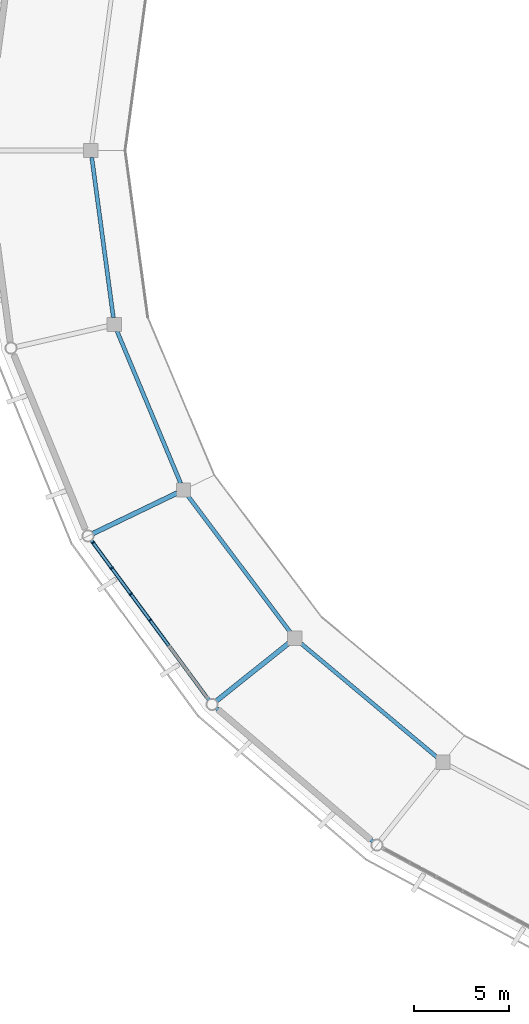
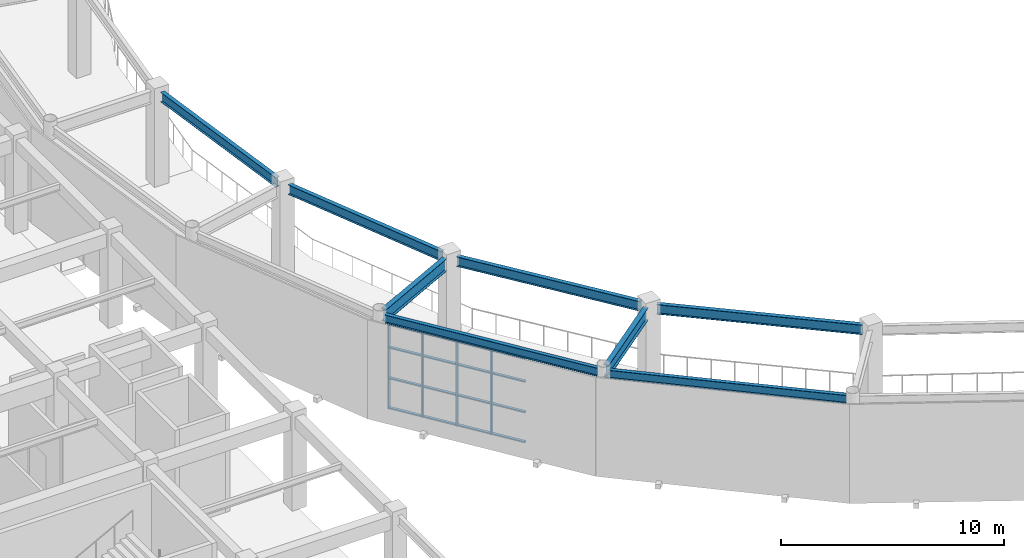
# One storey, part 17 of 70: 20 members, 8 beams, 1 element without a shape of its own.
"""IFC4 building model written with IfcOpenShell, lengths in metres."""

from ifc_helpers import new_model, si_unit, direction, frame, origin, origin_2d, place, context, subcontext, project, spatial, rectangle, i_section, extrude, material, material_profile, profile_set, type_object, element, aggregate, save


model = new_model("IFC4")

# Units and contexts
model_context = context("Model", 3, precision=1e-05, world=origin(), true_north=direction((0.0, 1.0)))
body_context = subcontext(model_context, "Body", "Model", "MODEL_VIEW")
ifc_project = project(units=[si_unit("LENGTHUNIT", "METRE"), si_unit("AREAUNIT", "SQUARE_METRE"), si_unit("VOLUMEUNIT", "CUBIC_METRE"), si_unit("PLANEANGLEUNIT", "RADIAN"), si_unit("MASSUNIT", "GRAM", prefix="KILO")], contexts=[model_context])

# Site, building, storey
site_placement = place(None, origin())
site = spatial("IfcSite", under=ifc_project, at=site_placement, CompositionType="ELEMENT")
building_placement = place(site_placement, origin())
building = spatial("IfcBuilding", under=site, at=building_placement, Name="Cuetzalor Civic Arena", CompositionType="ELEMENT")
storey_placement = place(building_placement, frame((0.0, 0.0, 21.0)))
storey = spatial("IfcBuildingStorey", under=building, at=storey_placement, Name="L04", CompositionType="ELEMENT", Elevation=21.0)

# Curtain wall, members
ifc_material_1 = material(Name="Anodised dark bronze aluminium and low-E solar glass", Category="aluminium")
curtain_wall_type = type_object("IfcCurtainWallType", Name="UnitisedCW_10150x4650", PredefinedType="USERDEFINED", material=ifc_material_1)
curtain_wall_placement = place(storey_placement, origin())
curtain_wall = element("IfcCurtainWall", 1, at=curtain_wall_placement, inside=storey, type_object=curtain_wall_type, Name="Drum Triangle Foyer Curtain Wall L04-063", ObjectType="UNITISED CURTAIN WALL", PredefinedType="USERDEFINED")
ifc_material_2 = material(Name="Anodised dark bronze aluminium", Category="aluminium")
ifc_material_profile_1 = material_profile(ifc_material_2, rectangle(XDim=0.070068359375, YDim=0.179931640625, at=origin_2d()), Name="ALU MULLION 70x180")
ifc_profile_set_1 = profile_set([ifc_material_profile_1], Name="Anodised dark bronze aluminium")
member_type_1 = type_object("IfcMemberType", Name="CurtainWallMullion_65x180", PredefinedType="MULLION", material=ifc_profile_set_1)
member_1_placement = place(storey_placement, frame((-45.8984375, -24.6103515625, 0.0), z_axis=(0.0, 0.0, 1.0), x_axis=(-0.59292931222, 0.805254513002, 0.0)))
member_1 = element("IfcMember", 2, at=member_1_placement, type_object=member_type_1, Name="CW-06 mullion 4", PredefinedType="MULLION", context=body_context, shape_type="SweptSolid", body=[
    extrude(rectangle(XDim=0.070068359375, YDim=0.179931640625, at=origin_2d()), origin(), (0.0, 0.0, 1.0), 4.653076171875),
])
member_2_placement = place(storey_placement, frame((-46.90087890625, -23.2490234375, 0.0), z_axis=(0.0, 0.0, 1.0), x_axis=(-0.59292931222, 0.805254513002, 0.0)))
member_2 = element("IfcMember", 3, at=member_2_placement, type_object=member_type_1, Name="CW-06 mullion 5", PredefinedType="MULLION", context=body_context, shape_type="SweptSolid", body=[
    extrude(rectangle(XDim=0.070068359375, YDim=0.179931640625, at=origin_2d()), origin(), (0.0, 0.0, 1.0), 4.653076171875),
])
member_3_placement = place(storey_placement, frame((-47.9033203125, -21.8876953125, 0.0), z_axis=(0.0, 0.0, 1.0), x_axis=(-0.59292931222, 0.805254513002, 0.0)))
member_3 = element("IfcMember", 4, at=member_3_placement, type_object=member_type_1, Name="CW-06 mullion 6", PredefinedType="MULLION", context=body_context, shape_type="SweptSolid", body=[
    extrude(rectangle(XDim=0.070068359375, YDim=0.179931640625, at=origin_2d()), origin(), (0.0, 0.0, 1.0), 4.653076171875),
])
member_4_placement = place(storey_placement, frame((-48.885009765625, -20.554443359375, 0.0), z_axis=(0.0, 0.0, 1.0), x_axis=(-0.59292931222, 0.805254513002, 0.0)))
member_4 = element("IfcMember", 5, at=member_4_placement, type_object=member_type_1, Name="CW-06 mullion 7", PredefinedType="MULLION", context=body_context, shape_type="SweptSolid", body=[
    extrude(rectangle(XDim=0.070068359375, YDim=0.179931640625, at=origin_2d()), origin(), (0.0, 0.0, 1.0), 4.653076171875),
])
ifc_material_3 = material(Name="Anodised dark bronze aluminium", Category="aluminium")
ifc_material_profile_2 = material_profile(ifc_material_3, rectangle(XDim=0.139892578125, YDim=0.070068359375, at=origin_2d()), Name="ALU TRANSOM 70x140")
ifc_profile_set_2 = profile_set([ifc_material_profile_2], Name="Anodised dark bronze aluminium")
member_type_2 = type_object("IfcMemberType", Name="CurtainWallTransom_65x140", PredefinedType="USERDEFINED", material=ifc_profile_set_2)
member_5_placement = place(storey_placement, frame((-44.916748046875, -25.943603515625, 0.034912109375), z_axis=(-0.592962622822, 0.805229984499, 0.0), x_axis=(-0.805229984499, -0.592962622822, 0.0)))
member_5 = element("IfcMember", 6, at=member_5_placement, type_object=member_type_2, Name="CW-06 transom 3.1", ObjectType="TRANSOM", PredefinedType="USERDEFINED", context=body_context, shape_type="SweptSolid", body=[
    extrude(rectangle(XDim=0.139892578125, YDim=0.070068359375, at=origin_2d()), origin(), (0.0, 0.0, 1.0), 1.62060546875),
])
member_6_placement = place(storey_placement, frame((-44.916748046875, -25.943603515625, 1.675048828125), z_axis=(-0.592962622822, 0.805229984499, 0.0), x_axis=(-0.805229984499, -0.592962622822, 0.0)))
member_6 = element("IfcMember", 7, at=member_6_placement, type_object=member_type_2, Name="CW-06 transom 3.2", ObjectType="TRANSOM", PredefinedType="USERDEFINED", context=body_context, shape_type="SweptSolid", body=[
    extrude(rectangle(XDim=0.139892578125, YDim=0.070068359375, at=origin_2d()), origin(), (0.0, 0.0, 1.0), 1.62060546875),
])
member_7_placement = place(storey_placement, frame((-44.916748046875, -25.943603515625, 3.35009765625), z_axis=(-0.592962622822, 0.805229984499, 0.0), x_axis=(-0.805229984499, -0.592962622822, 0.0)))
member_7 = element("IfcMember", 8, at=member_7_placement, type_object=member_type_2, Name="CW-06 transom 3.3", ObjectType="TRANSOM", PredefinedType="USERDEFINED", context=body_context, shape_type="SweptSolid", body=[
    extrude(rectangle(XDim=0.139892578125, YDim=0.070068359375, at=origin_2d()), origin(), (0.0, 0.0, 1.0), 1.62060546875),
])
member_8_placement = place(storey_placement, frame((-44.916748046875, -25.943603515625, 4.617919921875), z_axis=(-0.592962622822, 0.805229984499, 0.0), x_axis=(-0.805229984499, -0.592962622822, 0.0)))
member_8 = element("IfcMember", 9, at=member_8_placement, type_object=member_type_2, Name="CW-06 transom 3.4", ObjectType="TRANSOM", PredefinedType="USERDEFINED", context=body_context, shape_type="SweptSolid", body=[
    extrude(rectangle(XDim=0.139892578125, YDim=0.070068359375, at=origin_2d()), origin(), (0.0, 0.0, 1.0), 1.62060546875),
])
member_9_placement = place(storey_placement, frame((-45.919189453125, -24.582275390625, 0.034912109375), z_axis=(-0.592890697621, 0.805282944482, 0.0), x_axis=(-0.805282944482, -0.592890697621, 0.0)))
member_9 = element("IfcMember", 10, at=member_9_placement, type_object=member_type_2, Name="CW-06 transom 4.1", ObjectType="TRANSOM", PredefinedType="USERDEFINED", context=body_context, shape_type="SweptSolid", body=[
    extrude(rectangle(XDim=0.139892578125, YDim=0.070068359375, at=origin_2d()), origin(), (0.0, 0.0, 1.0), 1.620849609375),
])
member_10_placement = place(storey_placement, frame((-45.919189453125, -24.582275390625, 1.675048828125), z_axis=(-0.592890697621, 0.805282944482, 0.0), x_axis=(-0.805282944482, -0.592890697621, 0.0)))
member_10 = element("IfcMember", 11, at=member_10_placement, type_object=member_type_2, Name="CW-06 transom 4.2", ObjectType="TRANSOM", PredefinedType="USERDEFINED", context=body_context, shape_type="SweptSolid", body=[
    extrude(rectangle(XDim=0.139892578125, YDim=0.070068359375, at=origin_2d()), origin(), (0.0, 0.0, 1.0), 1.620849609375),
])
member_11_placement = place(storey_placement, frame((-45.919189453125, -24.582275390625, 3.35009765625), z_axis=(-0.592890697621, 0.805282944482, 0.0), x_axis=(-0.805282944482, -0.592890697621, 0.0)))
member_11 = element("IfcMember", 12, at=member_11_placement, type_object=member_type_2, Name="CW-06 transom 4.3", ObjectType="TRANSOM", PredefinedType="USERDEFINED", context=body_context, shape_type="SweptSolid", body=[
    extrude(rectangle(XDim=0.139892578125, YDim=0.070068359375, at=origin_2d()), origin(), (0.0, 0.0, 1.0), 1.620849609375),
])
member_12_placement = place(storey_placement, frame((-45.919189453125, -24.582275390625, 4.617919921875), z_axis=(-0.592890697621, 0.805282944482, 0.0), x_axis=(-0.805282944482, -0.592890697621, 0.0)))
member_12 = element("IfcMember", 13, at=member_12_placement, type_object=member_type_2, Name="CW-06 transom 4.4", ObjectType="TRANSOM", PredefinedType="USERDEFINED", context=body_context, shape_type="SweptSolid", body=[
    extrude(rectangle(XDim=0.139892578125, YDim=0.070068359375, at=origin_2d()), origin(), (0.0, 0.0, 1.0), 1.620849609375),
])
member_13_placement = place(storey_placement, frame((-46.921630859375, -23.220703125, 0.034912109375), z_axis=(-0.592962622822, 0.805229984499, 0.0), x_axis=(-0.805229984499, -0.592962622822, 0.0)))
member_13 = element("IfcMember", 14, at=member_13_placement, type_object=member_type_2, Name="CW-06 transom 5.1", ObjectType="TRANSOM", PredefinedType="USERDEFINED", context=body_context, shape_type="SweptSolid", body=[
    extrude(rectangle(XDim=0.139892578125, YDim=0.070068359375, at=origin_2d()), origin(), (0.0, 0.0, 1.0), 1.62060546875),
])
member_14_placement = place(storey_placement, frame((-46.921630859375, -23.220703125, 1.675048828125), z_axis=(-0.592962622822, 0.805229984499, 0.0), x_axis=(-0.805229984499, -0.592962622822, 0.0)))
member_14 = element("IfcMember", 15, at=member_14_placement, type_object=member_type_2, Name="CW-06 transom 5.2", ObjectType="TRANSOM", PredefinedType="USERDEFINED", context=body_context, shape_type="SweptSolid", body=[
    extrude(rectangle(XDim=0.139892578125, YDim=0.070068359375, at=origin_2d()), origin(), (0.0, 0.0, 1.0), 1.62060546875),
])
member_15_placement = place(storey_placement, frame((-46.921630859375, -23.220703125, 3.35009765625), z_axis=(-0.592962622822, 0.805229984499, 0.0), x_axis=(-0.805229984499, -0.592962622822, 0.0)))
member_15 = element("IfcMember", 16, at=member_15_placement, type_object=member_type_2, Name="CW-06 transom 5.3", ObjectType="TRANSOM", PredefinedType="USERDEFINED", context=body_context, shape_type="SweptSolid", body=[
    extrude(rectangle(XDim=0.139892578125, YDim=0.070068359375, at=origin_2d()), origin(), (0.0, 0.0, 1.0), 1.62060546875),
])
member_16_placement = place(storey_placement, frame((-46.921630859375, -23.220703125, 4.617919921875), z_axis=(-0.592962622822, 0.805229984499, 0.0), x_axis=(-0.805229984499, -0.592962622822, 0.0)))
member_16 = element("IfcMember", 17, at=member_16_placement, type_object=member_type_2, Name="CW-06 transom 5.4", ObjectType="TRANSOM", PredefinedType="USERDEFINED", context=body_context, shape_type="SweptSolid", body=[
    extrude(rectangle(XDim=0.139892578125, YDim=0.070068359375, at=origin_2d()), origin(), (0.0, 0.0, 1.0), 1.62060546875),
])
member_17_placement = place(storey_placement, frame((-47.924072265625, -21.859375, 0.034912109375), z_axis=(-0.59293115048, 0.805253159442, 0.0), x_axis=(-0.805253159442, -0.59293115048, 0.0)))
member_17 = element("IfcMember", 18, at=member_17_placement, type_object=member_type_2, Name="CW-06 transom 6.1", ObjectType="TRANSOM", PredefinedType="USERDEFINED", context=body_context, shape_type="SweptSolid", body=[
    extrude(rectangle(XDim=0.139892578125, YDim=0.070068359375, at=origin_2d()), origin(), (0.0, 0.0, 1.0), 1.585693359375),
])
member_18_placement = place(storey_placement, frame((-47.924072265625, -21.859375, 1.675048828125), z_axis=(-0.59293115048, 0.805253159442, 0.0), x_axis=(-0.805253159442, -0.59293115048, 0.0)))
member_18 = element("IfcMember", 19, at=member_18_placement, type_object=member_type_2, Name="CW-06 transom 6.2", ObjectType="TRANSOM", PredefinedType="USERDEFINED", context=body_context, shape_type="SweptSolid", body=[
    extrude(rectangle(XDim=0.139892578125, YDim=0.070068359375, at=origin_2d()), origin(), (0.0, 0.0, 1.0), 1.585693359375),
])
member_19_placement = place(storey_placement, frame((-47.924072265625, -21.859375, 3.35009765625), z_axis=(-0.59293115048, 0.805253159442, 0.0), x_axis=(-0.805253159442, -0.59293115048, 0.0)))
member_19 = element("IfcMember", 20, at=member_19_placement, type_object=member_type_2, Name="CW-06 transom 6.3", ObjectType="TRANSOM", PredefinedType="USERDEFINED", context=body_context, shape_type="SweptSolid", body=[
    extrude(rectangle(XDim=0.139892578125, YDim=0.070068359375, at=origin_2d()), origin(), (0.0, 0.0, 1.0), 1.585693359375),
])
member_20_placement = place(storey_placement, frame((-47.924072265625, -21.859375, 4.617919921875), z_axis=(-0.59293115048, 0.805253159442, 0.0), x_axis=(-0.805253159442, -0.59293115048, 0.0)))
member_20 = element("IfcMember", 21, at=member_20_placement, type_object=member_type_2, Name="CW-06 transom 6.4", ObjectType="TRANSOM", PredefinedType="USERDEFINED", context=body_context, shape_type="SweptSolid", body=[
    extrude(rectangle(XDim=0.139892578125, YDim=0.070068359375, at=origin_2d()), origin(), (0.0, 0.0, 1.0), 1.585693359375),
])
aggregate(curtain_wall, [member_1, member_2, member_3, member_4, member_5, member_6, member_7, member_8, member_9, member_10, member_11, member_12, member_13, member_14, member_15, member_16, member_17, member_18, member_19, member_20])

# Beams
ifc_material_4 = material(Name="Steel S355", Category="steel")
ifc_material_profile_3 = material_profile(ifc_material_4, i_section(OverallWidth=0.18994140625, OverallDepth=0.45703125, WebThickness=0.009033203125, FlangeThickness=0.014404296875, at=origin_2d()), Name="W460x74")
ifc_profile_set_3 = profile_set([ifc_material_profile_3], Name="Steel S355")
beam_type_1 = type_object("IfcBeamType", Name="FacadeSpandrelBeam_W460", PredefinedType="SPANDREL", material=ifc_profile_set_3)
beam_1_placement = place(storey_placement, frame((-48.975830078125, -20.430908203125, 4.8916015625), z_axis=(0.592928645702, -0.805255003776, 0.0), x_axis=(0.805255003776, 0.592928645702, 0.0)))
element("IfcBeam", 22, at=beam_1_placement, inside=storey, type_object=beam_type_1, Name="Drum Perimeter Spandrel L04-S17", PredefinedType="SPANDREL", context=body_context, shape_type="SweptSolid", body=[
    extrude(i_section(OverallWidth=0.18994140625, OverallDepth=0.45703125, WebThickness=0.009033203125, FlangeThickness=0.014404296875, at=origin_2d()), origin(), (0.0, 0.0, 1.0), 10.380615234375),
])
beam_2_placement = place(storey_placement, frame((-42.42822265625, -29.211669921875, 4.8916015625), z_axis=(0.760676650628, -0.649130983076, 0.0), x_axis=(0.649130983076, 0.760676650628, 0.0)))
element("IfcBeam", 23, at=beam_2_placement, inside=storey, type_object=beam_type_1, Name="Drum Perimeter Spandrel L04-S18", PredefinedType="SPANDREL", context=body_context, shape_type="SweptSolid", body=[
    extrude(i_section(OverallWidth=0.18994140625, OverallDepth=0.45703125, WebThickness=0.009033203125, FlangeThickness=0.014404296875, at=origin_2d()), origin(), (0.0, 0.0, 1.0), 10.77490234375),
])
ifc_material_5 = material(Name="Steel S355", Category="steel")
ifc_material_profile_4 = material_profile(ifc_material_5, i_section(OverallWidth=0.208984375, OverallDepth=0.532958984375, WebThickness=0.01025390625, FlangeThickness=0.015625, at=origin_2d()), Name="W530x92")
ifc_profile_set_4 = profile_set([ifc_material_profile_4], Name="Steel S355")
beam_type_2 = type_object("IfcBeamType", Name="SteelCollarGirder_W530", PredefinedType="BEAM", material=ifc_profile_set_4)
beam_3_placement = place(storey_placement, frame((-48.95068359375, -0.36669921875, 4.853515625), z_axis=(0.13346702922, -0.991053253923, 0.0), x_axis=(0.991053253923, 0.13346702922, 0.0)))
element("IfcBeam", 24, at=beam_3_placement, inside=storey, type_object=beam_type_2, Name="Drum Concourse Ring Girder L04-S15", PredefinedType="BEAM", context=body_context, shape_type="SweptSolid", body=[
    extrude(i_section(OverallWidth=0.208984375, OverallDepth=0.532958984375, WebThickness=0.01025390625, FlangeThickness=0.015625, at=origin_2d()), origin(), (0.0, 0.0, 1.0), 8.465576171875),
])
beam_4_placement = place(storey_placement, frame((-47.628662109375, -9.46484375, 4.853515625), z_axis=(0.385813116722, -0.922576955579, 0.0), x_axis=(0.922576955579, 0.385813116722, 0.0)))
element("IfcBeam", 25, at=beam_4_placement, inside=storey, type_object=beam_type_2, Name="Drum Concourse Ring Girder L04-S16", PredefinedType="BEAM", context=body_context, shape_type="SweptSolid", body=[
    extrude(i_section(OverallWidth=0.208984375, OverallDepth=0.532958984375, WebThickness=0.01025390625, FlangeThickness=0.015625, at=origin_2d()), origin(), (0.0, 0.0, 1.0), 8.65283203125),
])
beam_5_placement = place(storey_placement, frame((-43.92529296875, -18.085205078125, 4.853515625), z_axis=(0.600491348624, -0.799631252658, 0.0), x_axis=(0.799631252658, 0.600491348624, 0.0)))
element("IfcBeam", 26, at=beam_5_placement, inside=storey, type_object=beam_type_2, Name="Drum Concourse Ring Girder L04-S17", PredefinedType="BEAM", context=body_context, shape_type="SweptSolid", body=[
    extrude(i_section(OverallWidth=0.208984375, OverallDepth=0.532958984375, WebThickness=0.01025390625, FlangeThickness=0.015625, at=origin_2d()), origin(), (0.0, 0.0, 1.0), 8.9814453125),
])
beam_6_placement = place(storey_placement, frame((-38.02587890625, -25.800537109375, 4.853515625), z_axis=(0.766937066427, -0.641722320121, 0.0), x_axis=(0.641722320121, 0.766937066427, 0.0)))
element("IfcBeam", 27, at=beam_6_placement, inside=storey, type_object=beam_type_2, Name="Drum Concourse Ring Girder L04-S18", PredefinedType="BEAM", context=body_context, shape_type="SweptSolid", body=[
    extrude(i_section(OverallWidth=0.208984375, OverallDepth=0.532958984375, WebThickness=0.01025390625, FlangeThickness=0.015625, at=origin_2d()), origin(), (0.0, 0.0, 1.0), 9.37646484375),
])
ifc_material_6 = material(Name="Steel S355", Category="steel")
ifc_material_profile_5 = material_profile(ifc_material_6, i_section(OverallWidth=0.2529296875, OverallDepth=0.677978515625, WebThickness=0.01171875, FlangeThickness=0.016357421875, at=origin_2d()), Name="W690x125")
ifc_profile_set_5 = profile_set([ifc_material_profile_5], Name="Steel S355")
beam_type_3 = type_object("IfcBeamType", Name="SteelPrimaryGirder_W690", PredefinedType="BEAM", material=ifc_profile_set_5)
beam_7_placement = place(storey_placement, frame((-44.4716796875, -17.9453125, 4.781005859375), z_axis=(-0.900964883231, -0.433892013275, 0.0), x_axis=(0.433892013275, -0.900964883231, 0.0)))
element("IfcBeam", 28, at=beam_7_placement, inside=storey, type_object=beam_type_3, Name="Drum Radial Girder L04-R17", PredefinedType="BEAM", context=body_context, shape_type="SweptSolid", body=[
    extrude(i_section(OverallWidth=0.2529296875, OverallDepth=0.677978515625, WebThickness=0.01171875, FlangeThickness=0.016357421875, at=origin_2d()), origin(), (0.0, 0.0, 1.0), 4.900390625),
])
beam_8_placement = place(storey_placement, frame((-38.59130859375, -25.78759765625, 4.781005859375), z_axis=(-0.781810957258, -0.623515538789, 0.0), x_axis=(0.623515538789, -0.781810957258, 0.0)))
element("IfcBeam", 29, at=beam_8_placement, inside=storey, type_object=beam_type_3, Name="Drum Radial Girder L04-R18", PredefinedType="BEAM", context=body_context, shape_type="SweptSolid", body=[
    extrude(i_section(OverallWidth=0.2529296875, OverallDepth=0.677978515625, WebThickness=0.01171875, FlangeThickness=0.016357421875, at=origin_2d()), origin(), (0.0, 0.0, 1.0), 4.89990234375),
])

save(model, "model.ifc")
